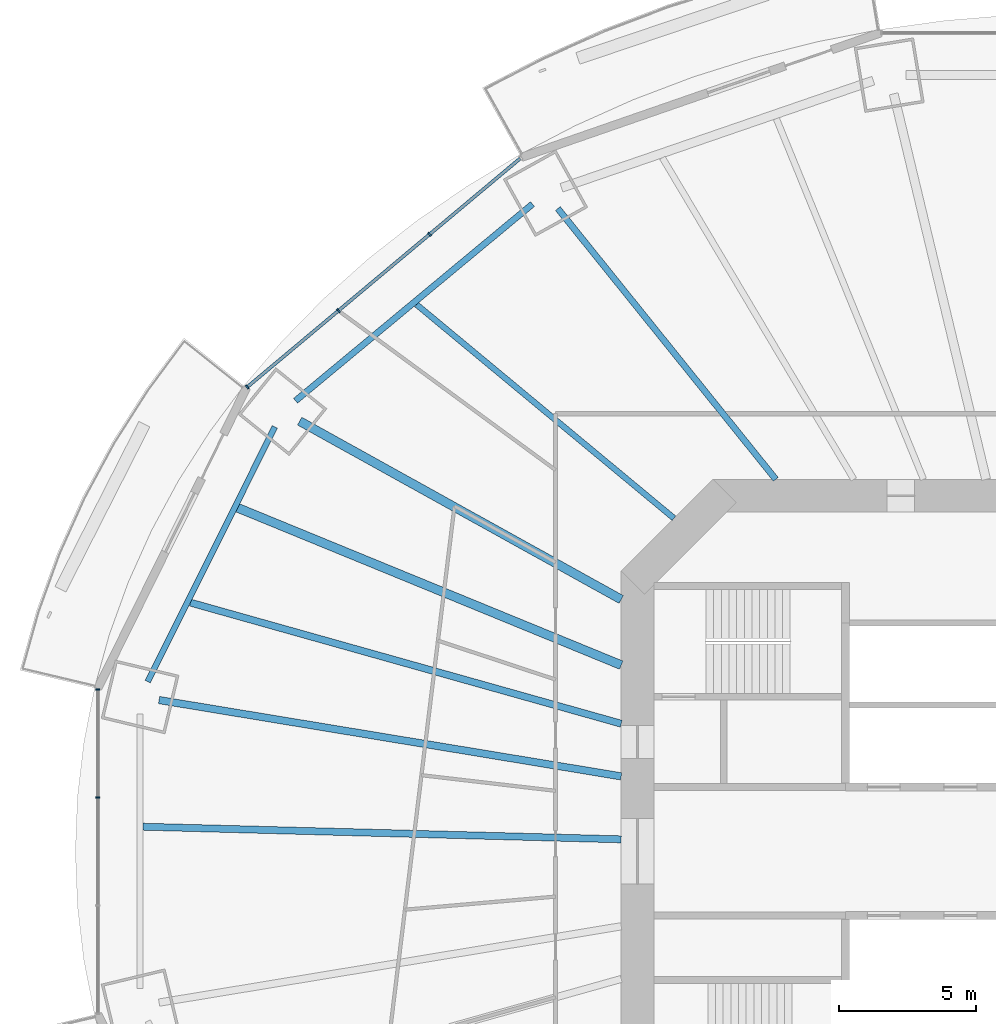
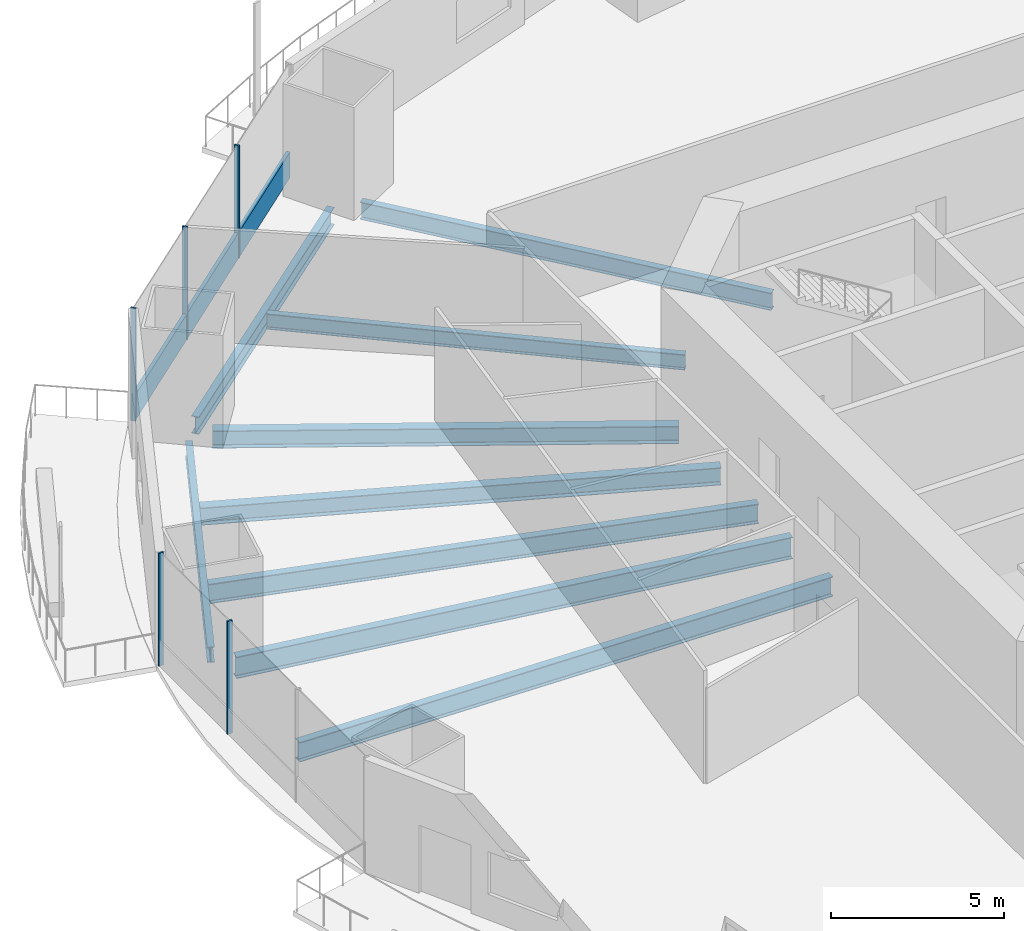
# One storey, part 6 of 23: 9 beams, 6 members, 2 elements without a shape of their own.
"""IFC4 building model written with IfcOpenShell, lengths in metres."""

from ifc_helpers import new_model, si_unit, direction, frame, origin, origin_2d, place, context, subcontext, project, spatial, rectangle, i_section, extrude, material, material_profile, profile_set, type_object, element, aggregate, save


model = new_model("IFC4")

# Units and contexts
model_context = context("Model", 3, precision=1e-05, world=origin(), true_north=direction((0.0, 1.0)))
body_context = subcontext(model_context, "Body", "Model", "MODEL_VIEW")
ifc_project = project(units=[si_unit("LENGTHUNIT", "METRE"), si_unit("AREAUNIT", "SQUARE_METRE"), si_unit("VOLUMEUNIT", "CUBIC_METRE"), si_unit("PLANEANGLEUNIT", "RADIAN"), si_unit("MASSUNIT", "GRAM", prefix="KILO")], contexts=[model_context])

# Site, building, storey
site_placement = place(None, origin())
site = spatial("IfcSite", under=ifc_project, at=site_placement, CompositionType="ELEMENT")
building_placement = place(site_placement, origin())
building = spatial("IfcBuilding", under=site, at=building_placement, Name="Marenthal Gate Tower", CompositionType="ELEMENT")
storey_placement = place(building_placement, frame((0.0, 0.0, 53.75)))
storey = spatial("IfcBuildingStorey", under=building, at=storey_placement, Name="L09", CompositionType="ELEMENT", Elevation=53.75)

# Curtain wall, members
ifc_material_1 = material(Name="Aluminium and glass", Category="aluminium")
curtain_wall_type = type_object("IfcCurtainWallType", Name="Curtain wall typical low", PredefinedType="NOTDEFINED", material=ifc_material_1)
curtain_wall_1_placement = place(storey_placement, origin())
curtain_wall_1 = element("IfcCurtainWall", 1, at=curtain_wall_1_placement, inside=storey, type_object=curtain_wall_type, Name="Curtain wall L09 bay 6", PredefinedType="NOTDEFINED")
ifc_material_2 = material(Name="Aluminium", Category="aluminium")
ifc_material_profile_1 = material_profile(ifc_material_2, rectangle(XDim=0.159912109375, YDim=0.06005859375, at=origin_2d()), Name="60x160 aluminium mullion")
ifc_profile_set_1 = profile_set([ifc_material_profile_1], Name="Aluminium")
member_type_1 = type_object("IfcMemberType", Name="Mullion 60x160 typical low", PredefinedType="MULLION", material=ifc_profile_set_1)
member_1_placement = place(storey_placement, frame((-23.6025390625, 22.5595703125, 0.0), z_axis=(0.0, 0.0, 1.0), x_axis=(0.642047277641, -0.766665046336, 0.0)))
member_1 = element("IfcMember", 2, at=member_1_placement, type_object=member_type_1, Name="Mullion L09 bay 6.2", PredefinedType="MULLION", context=body_context, shape_type="SweptSolid", body=[
    extrude(rectangle(XDim=0.159912109375, YDim=0.06005859375, at=origin_2d()), origin(), (0.0, 0.0, 1.0), 3.969970703125),
])
member_2_placement = place(storey_placement, frame((-26.938232421875, 19.76611328125, 0.0), z_axis=(0.0, 0.0, 1.0), x_axis=(0.642047277641, -0.766665046336, 0.0)))
member_2 = element("IfcMember", 3, at=member_2_placement, type_object=member_type_1, Name="Mullion L09 bay 6.3", PredefinedType="MULLION", context=body_context, shape_type="SweptSolid", body=[
    extrude(rectangle(XDim=0.159912109375, YDim=0.06005859375, at=origin_2d()), origin(), (0.0, 0.0, 1.0), 3.969970703125),
])
member_3_placement = place(storey_placement, frame((-30.274169921875, 16.972412109375, 0.0), z_axis=(0.0, 0.0, 1.0), x_axis=(0.642047277641, -0.766665046336, 0.0)))
member_3 = element("IfcMember", 4, at=member_3_placement, type_object=member_type_1, Name="Mullion L09 bay 6.4", PredefinedType="MULLION", context=body_context, shape_type="SweptSolid", body=[
    extrude(rectangle(XDim=0.159912109375, YDim=0.06005859375, at=origin_2d()), origin(), (0.0, 0.0, 1.0), 3.969970703125),
])

curtain_wall_2_placement = place(storey_placement, origin())
curtain_wall_2 = element("IfcCurtainWall", 5, at=curtain_wall_2_placement, inside=storey, type_object=curtain_wall_type, Name="Curtain wall L09 bay 8", PredefinedType="NOTDEFINED")
member_4_placement = place(storey_placement, frame((-35.73779296875, 5.923095703125, 0.0), z_axis=(0.0, 0.0, 1.0), x_axis=(1.0, 0.0, 0.0)))
member_4 = element("IfcMember", 6, at=member_4_placement, type_object=member_type_1, Name="Mullion L09 bay 8.1", PredefinedType="MULLION", context=body_context, shape_type="SweptSolid", body=[
    extrude(rectangle(XDim=0.159912109375, YDim=0.06005859375, at=origin_2d()), origin(), (0.0, 0.0, 1.0), 3.969970703125),
])
member_5_placement = place(storey_placement, frame((-35.73779296875, 1.974365234375, 0.0), z_axis=(0.0, 0.0, 1.0), x_axis=(1.0, 0.0, 0.0)))
member_5 = element("IfcMember", 7, at=member_5_placement, type_object=member_type_1, Name="Mullion L09 bay 8.2", PredefinedType="MULLION", context=body_context, shape_type="SweptSolid", body=[
    extrude(rectangle(XDim=0.159912109375, YDim=0.06005859375, at=origin_2d()), origin(), (0.0, 0.0, 1.0), 3.969970703125),
])
aggregate(curtain_wall_2, [member_4, member_5])

# Member
ifc_material_3 = material(Name="Aluminium", Category="aluminium")
ifc_material_profile_2 = material_profile(ifc_material_3, rectangle(XDim=0.1201171875, YDim=0.89990234375, at=origin_2d()), Name="120x900 aluminium transom")
ifc_profile_set_2 = profile_set([ifc_material_profile_2], Name="Aluminium")
member_type_2 = type_object("IfcMemberType", Name="Transom 120x900 typical low", PredefinedType="USERDEFINED", material=ifc_profile_set_2)
member_6_placement = place(storey_placement, frame((-20.289794921875, 25.333740234375, 0.449951171875), z_axis=(-0.766672707648, -0.6420381292, 0.0), x_axis=(0.6420381292, -0.766672707648, 0.0)))
member_6 = element("IfcMember", 8, at=member_6_placement, type_object=member_type_2, Name="Transom L09 bay 6", ObjectType="TRANSOM", PredefinedType="USERDEFINED", context=body_context, shape_type="SweptSolid", body=[
    extrude(rectangle(XDim=0.1201171875, YDim=0.89990234375, at=origin_2d()), origin(), (0.0, 0.0, 1.0), 12.9931640625),
])

aggregate(curtain_wall_1, [member_1, member_2, member_3, member_6])

# Beams
ifc_material_4 = material(Name="Steel S355", Category="steel")
ifc_material_profile_3 = material_profile(ifc_material_4, i_section(OverallWidth=0.2119140625, OverallDepth=0.5439453125, WebThickness=0.01318359375, FlangeThickness=0.021240234375, FilletRadius=0.0126953125, at=origin_2d()), Name="W530X123")
ifc_profile_set_3 = profile_set([ifc_material_profile_3], Name="Steel S355")
beam_type_1 = type_object("IfcBeamType", Name="W530X123 beam", PredefinedType="BEAM", material=ifc_profile_set_3)
beam_1_placement = place(storey_placement, frame((-24.085205078125, 19.99267578125, -0.451904296875), z_axis=(0.769446518411, -0.638711245639, 0.0), x_axis=(0.638711245639, 0.769446518411, 0.0)))
element("IfcBeam", 9, at=beam_1_placement, inside=storey, type_object=beam_type_1, Name="BM-L09-25", PredefinedType="BEAM", context=body_context, shape_type="SweptSolid", body=[
    extrude(i_section(OverallWidth=0.2119140625, OverallDepth=0.5439453125, WebThickness=0.01318359375, FlangeThickness=0.021240234375, FilletRadius=0.0126953125, at=origin_2d()), origin(), (0.0, 0.0, 1.0), 12.235595703125),
])
beam_2_placement = place(storey_placement, frame((-29.2626953125, 15.515380859375, -0.451904296875), z_axis=(-0.446499954542, -0.894783655748, 0.0), x_axis=(0.894783655748, -0.446499954542, 0.0)))
element("IfcBeam", 10, at=beam_2_placement, inside=storey, type_object=beam_type_1, Name="BM-L09-47", PredefinedType="BEAM", context=body_context, shape_type="SweptSolid", body=[
    extrude(i_section(OverallWidth=0.2119140625, OverallDepth=0.5439453125, WebThickness=0.01318359375, FlangeThickness=0.021240234375, FilletRadius=0.0126953125, at=origin_2d()), origin(), (0.0, 0.0, 1.0), 10.402099609375),
])
ifc_material_5 = material(Name="Steel S355", Category="steel")
ifc_material_profile_4 = material_profile(ifc_material_5, i_section(OverallWidth=0.22900390625, OverallDepth=0.612060546875, WebThickness=0.011962890625, FlangeThickness=0.01953125, FilletRadius=0.0126953125, at=origin_2d()), Name="W610X125")
ifc_profile_set_4 = profile_set([ifc_material_profile_4], Name="Steel S355")
beam_type_2 = type_object("IfcBeamType", Name="W610X125 beam", PredefinedType="BEAM", material=ifc_profile_set_4)
beam_3_placement = place(storey_placement, frame((-18.916015625, 23.49951171875, -0.486083984375), z_axis=(0.627042105716, -0.778985364214, 0.0), x_axis=(0.778985364214, 0.627042105716, 0.0)))
element("IfcBeam", 11, at=beam_3_placement, inside=storey, type_object=beam_type_2, Name="BM-L09-06", PredefinedType="BEAM", context=body_context, shape_type="SweptSolid", body=[
    extrude(i_section(OverallWidth=0.22900390625, OverallDepth=0.612060546875, WebThickness=0.011962890625, FlangeThickness=0.01953125, FilletRadius=0.0126953125, at=origin_2d()), origin(), (0.0, 0.0, 1.0), 12.7080078125),
])
beam_4_placement = place(storey_placement, frame((-19.8427734375, 23.6630859375, -0.486083984375), z_axis=(-0.76943582663, -0.638724125658, 0.0), x_axis=(0.638724125658, -0.76943582663, 0.0)))
element("IfcBeam", 12, at=beam_4_placement, inside=storey, type_object=beam_type_2, Name="BM-L09-46", PredefinedType="BEAM", context=body_context, shape_type="SweptSolid", body=[
    extrude(i_section(OverallWidth=0.22900390625, OverallDepth=0.612060546875, WebThickness=0.011962890625, FlangeThickness=0.01953125, FilletRadius=0.0126953125, at=origin_2d()), origin(), (0.0, 0.0, 1.0), 11.257080078125),
])
ifc_material_6 = material(Name="Steel S355", Category="steel")
ifc_material_profile_5 = material_profile(ifc_material_6, i_section(OverallWidth=0.324951171875, OverallDepth=0.612060546875, WebThickness=0.0126953125, FlangeThickness=0.01904296875, FilletRadius=0.0126953125, at=origin_2d()), Name="W610X155")
ifc_profile_set_5 = profile_set([ifc_material_profile_5], Name="Steel S355")
beam_type_3 = type_object("IfcBeamType", Name="W610X155 beam", PredefinedType="BEAM", material=ifc_profile_set_5)
beam_5_placement = place(storey_placement, frame((-28.355712890625, 15.727294921875, -0.486083984375), z_axis=(0.874492882968, -0.485038346565, 0.0), x_axis=(0.485038346565, 0.874492882968, 0.0)))
element("IfcBeam", 13, at=beam_5_placement, inside=storey, type_object=beam_type_3, Name="BM-L09-07", PredefinedType="BEAM", context=body_context, shape_type="SweptSolid", body=[
    extrude(i_section(OverallWidth=0.324951171875, OverallDepth=0.612060546875, WebThickness=0.0126953125, FlangeThickness=0.01904296875, FilletRadius=0.0126953125, at=origin_2d()), origin(), (0.0, 0.0, 1.0), 13.44287109375),
])
beam_6_placement = place(storey_placement, frame((-30.6201171875, 12.55810546875, -0.486083984375), z_axis=(0.925210391668, -0.379454517894, 0.0), x_axis=(0.379454517894, 0.925210391668, 0.0)))
element("IfcBeam", 14, at=beam_6_placement, inside=storey, type_object=beam_type_3, Name="BM-L09-26", PredefinedType="BEAM", context=body_context, shape_type="SweptSolid", body=[
    extrude(i_section(OverallWidth=0.324951171875, OverallDepth=0.612060546875, WebThickness=0.0126953125, FlangeThickness=0.01904296875, FilletRadius=0.0126953125, at=origin_2d()), origin(), (0.0, 0.0, 1.0), 15.1533203125),
])
ifc_material_7 = material(Name="Steel S355", Category="steel")
ifc_material_profile_6 = material_profile(ifc_material_7, i_section(OverallWidth=0.257080078125, OverallDepth=0.693115234375, WebThickness=0.014404296875, FlangeThickness=0.023681640625, FilletRadius=0.015380859375, at=origin_2d()), Name="W690X170")
ifc_profile_set_6 = profile_set([ifc_material_profile_6], Name="Steel S355")
beam_type_4 = type_object("IfcBeamType", Name="W690X170 beam", PredefinedType="BEAM", material=ifc_profile_set_6)
beam_7_placement = place(storey_placement, frame((-32.349365234375, 9.092529296875, -0.526611328125), z_axis=(0.962694320478, -0.27059128833, 0.0), x_axis=(0.27059128833, 0.962694320478, 0.0)))
element("IfcBeam", 15, at=beam_7_placement, inside=storey, type_object=beam_type_4, Name="BM-L09-27", PredefinedType="BEAM", context=body_context, shape_type="SweptSolid", body=[
    extrude(i_section(OverallWidth=0.257080078125, OverallDepth=0.693115234375, WebThickness=0.014404296875, FlangeThickness=0.023681640625, FilletRadius=0.015380859375, at=origin_2d()), origin(), (0.0, 0.0, 1.0), 16.359619140625),
])
beam_8_placement = place(storey_placement, frame((-34.082275390625, 0.900390625, -0.526611328125), z_axis=(0.999651121674, -0.026412779787, 0.0), x_axis=(0.026412779787, 0.999651121674, 0.0)))
element("IfcBeam", 16, at=beam_8_placement, inside=storey, type_object=beam_type_4, Name="BM-L09-28", PredefinedType="BEAM", context=body_context, shape_type="SweptSolid", body=[
    extrude(i_section(OverallWidth=0.257080078125, OverallDepth=0.693115234375, WebThickness=0.014404296875, FlangeThickness=0.023681640625, FilletRadius=0.015380859375, at=origin_2d()), origin(), (0.0, 0.0, 1.0), 17.48828125),
])
ifc_material_8 = material(Name="Steel S355", Category="steel")
ifc_material_profile_7 = material_profile(ifc_material_8, i_section(OverallWidth=0.26708984375, OverallDepth=0.761962890625, WebThickness=0.014404296875, FlangeThickness=0.021484375, FilletRadius=0.0166015625, at=origin_2d()), Name="W760X173")
ifc_profile_set_7 = profile_set([ifc_material_profile_7], Name="Steel S355")
beam_type_5 = type_object("IfcBeamType", Name="W760X173 beam", PredefinedType="BEAM", material=ifc_profile_set_7)
beam_9_placement = place(storey_placement, frame((-33.494384765625, 5.530517578125, -0.56103515625), z_axis=(0.986640584699, -0.162912113192, 0.0), x_axis=(0.162912113192, 0.986640584699, 0.0)))
element("IfcBeam", 17, at=beam_9_placement, inside=storey, type_object=beam_type_5, Name="BM-L09-08", PredefinedType="BEAM", context=body_context, shape_type="SweptSolid", body=[
    extrude(i_section(OverallWidth=0.26708984375, OverallDepth=0.761962890625, WebThickness=0.014404296875, FlangeThickness=0.021484375, FilletRadius=0.0166015625, at=origin_2d()), origin(), (0.0, 0.0, 1.0), 17.123046875),
])

save(model, "model.ifc")
